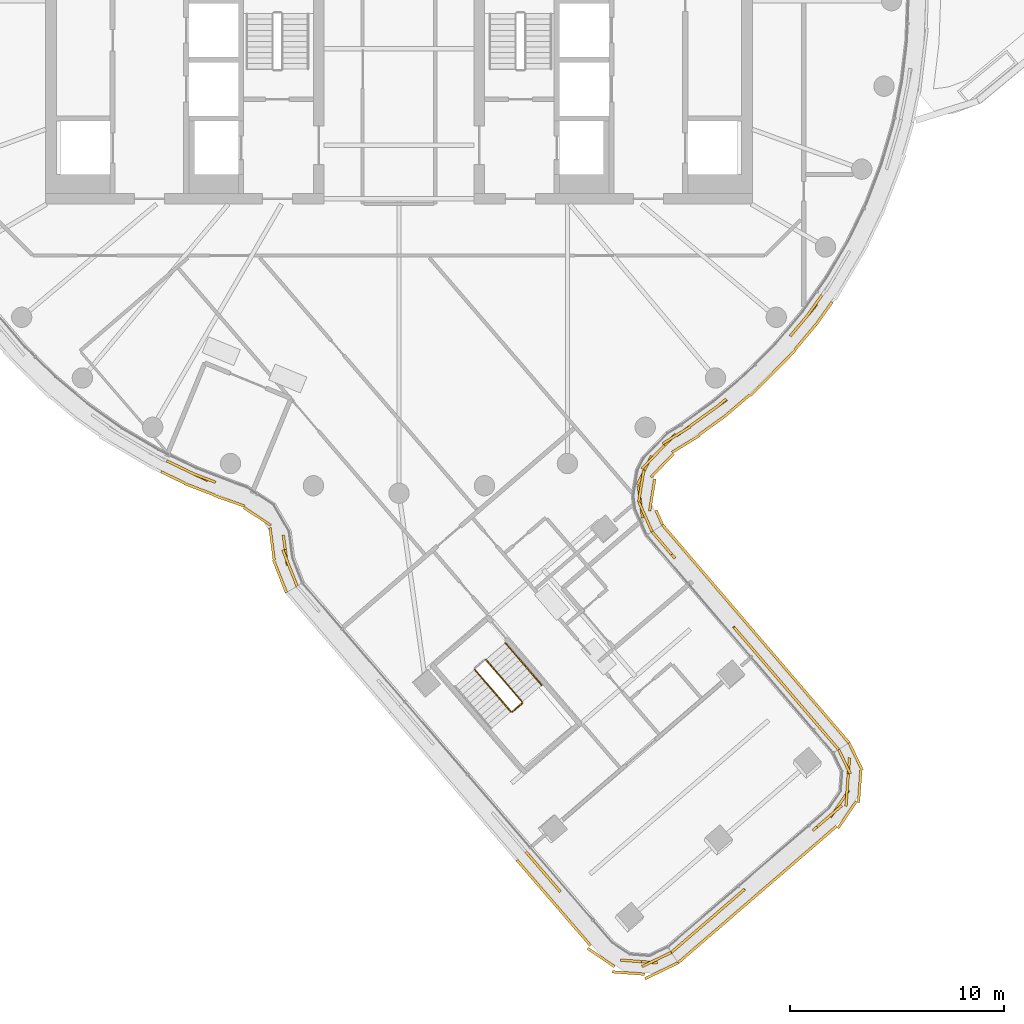
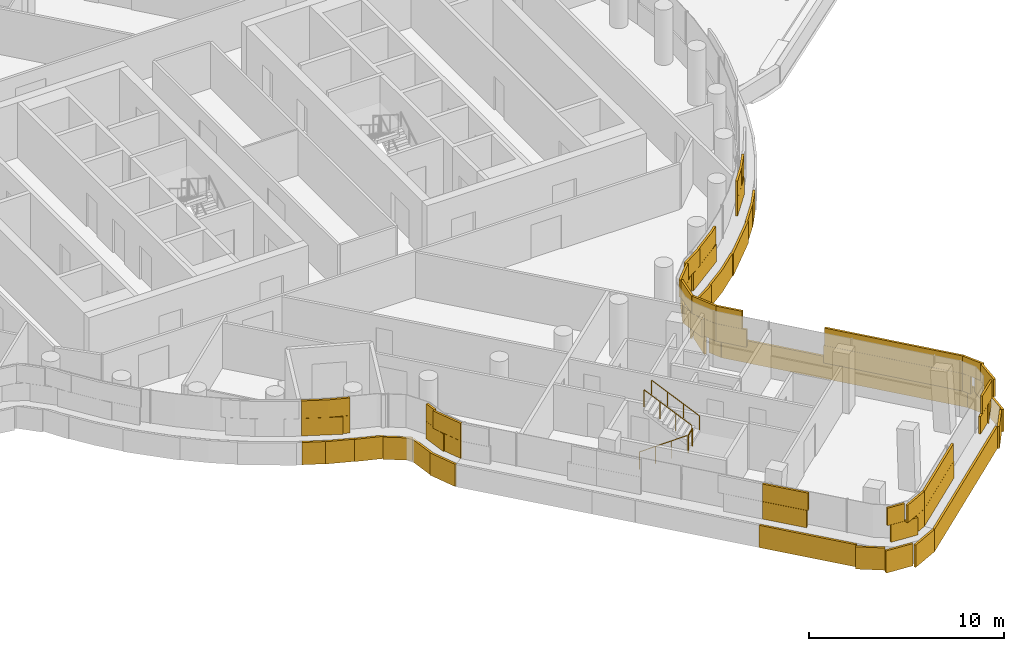
# One storey, part 29 of 34: 5 coverings, 4 railings.
"""IFC4 building model written with IfcOpenShell, lengths in metres."""

from ifc_helpers import new_model, si_unit, direction, frame, origin, origin_2d, place, context, subcontext, project, spatial, rectangle, circle, extrude, material, layer, layer_set, type_object, element, save


model = new_model("IFC4")

# Units and contexts
model_context = context("Model", 3, precision=1e-05, world=origin(), true_north=direction((0.0, 1.0)))
body_context = subcontext(model_context, "Body", "Model", "MODEL_VIEW")
ifc_project = project(units=[si_unit("LENGTHUNIT", "METRE"), si_unit("AREAUNIT", "SQUARE_METRE"), si_unit("VOLUMEUNIT", "CUBIC_METRE"), si_unit("PLANEANGLEUNIT", "RADIAN"), si_unit("MASSUNIT", "GRAM", prefix="KILO")], contexts=[model_context])

# Site, building, storey
site_placement = place(None, origin())
site = spatial("IfcSite", under=ifc_project, at=site_placement, CompositionType="ELEMENT")
building_placement = place(site_placement, origin())
building = spatial("IfcBuilding", under=site, at=building_placement, Name="Tamarind Cross Interchange Tower", CompositionType="ELEMENT")
storey_placement = place(building_placement, frame((0.0, 0.0, 182.5)))
storey = spatial("IfcBuildingStorey", under=building, at=storey_placement, Name="L45", CompositionType="ELEMENT", Elevation=182.5)

# Railings
ifc_material_1 = material(Name="Stair guard")
railing_type_1 = type_object("IfcRailingType", Name="Stair guard", PredefinedType="GUARDRAIL", material=ifc_material_1)
railing_1_placement = place(storey_placement, frame((3.532470703125, -31.232177734375, 0.16357421875)))
element("IfcRailing", 1, at=railing_1_placement, inside=storey, type_object=railing_type_1, Name="L45 ST6 stair guard 1", PredefinedType="GUARDRAIL", context=body_context, shape_type="SweptSolid", body=[
    extrude(circle(Radius=0.02392578125, at=origin_2d()), frame((0.0, 0.0, 1.076171875), z_axis=(0.552399171702, -0.641167676203, 0.53269049747), x_axis=(0.757603689801, 0.652714829922, 0.0)), (0.0, 0.0, 1.0), 3.072021484375),
    extrude(circle(Radius=0.02099609375, at=origin_2d()), origin(), (0.0, 0.0, 1.0), 1.052001953125),
    extrude(circle(Radius=0.02099609375, at=origin_2d()), frame((0.565673828125, -0.656494140625, 0.54541015625)), (0.0, 0.0, 1.0), 1.052001953125),
    extrude(circle(Radius=0.02099609375, at=origin_2d()), frame((1.13134765625, -1.313232421875, 1.091064453125)), (0.0, 0.0, 1.0), 1.052001953125),
    extrude(circle(Radius=0.02099609375, at=origin_2d()), frame((1.697021484375, -1.9697265625, 1.636474609375)), (0.0, 0.0, 1.0), 1.052001953125),
])
railing_2_placement = place(storey_placement, frame((5.300048828125, -33.207275390625, 1.800048828125)))
element("IfcRailing", 2, at=railing_2_placement, inside=storey, type_object=railing_type_1, Name="L45 ST6 stair guard 2", PredefinedType="GUARDRAIL", context=body_context, shape_type="SweptSolid", body=[
    extrude(circle(Radius=0.02392578125, at=origin_2d()), frame((0.0, 0.0, 1.076171875), z_axis=(0.75764583583, 0.652665907987, 0.0), x_axis=(-0.652665907987, 0.75764583583, 0.0)), (0.0, 0.0, 1.0), 0.60009765625),
    extrude(circle(Radius=0.02099609375, at=origin_2d()), origin(), (0.0, 0.0, 1.0), 1.052001953125),
    extrude(circle(Radius=0.02099609375, at=origin_2d()), frame((0.45458984375, 0.3916015625, 0.0)), (0.0, 0.0, 1.0), 1.052001953125),
])
railing_3_placement = place(storey_placement, frame((5.759765625, -32.7451171875, 1.963623046875)))
element("IfcRailing", 3, at=railing_3_placement, inside=storey, type_object=railing_type_1, Name="L45 ST6 stair guard 3", PredefinedType="GUARDRAIL", context=body_context, shape_type="SweptSolid", body=[
    extrude(circle(Radius=0.02392578125, at=origin_2d()), frame((0.0, 0.0, 1.076171875), z_axis=(-0.552399171702, 0.641167676203, 0.53269049747), x_axis=(-0.757603689801, -0.652714829922, 0.0)), (0.0, 0.0, 1.0), 3.072021484375),
    extrude(circle(Radius=0.02099609375, at=origin_2d()), origin(), (0.0, 0.0, 1.0), 1.052001953125),
    extrude(circle(Radius=0.02099609375, at=origin_2d()), frame((-0.565673828125, 0.656494140625, 0.54541015625)), (0.0, 0.0, 1.0), 1.052001953125),
    extrude(circle(Radius=0.02099609375, at=origin_2d()), frame((-1.13134765625, 1.313232421875, 1.091064453125)), (0.0, 0.0, 1.0), 1.052001953125),
    extrude(circle(Radius=0.02099609375, at=origin_2d()), frame((-1.697021484375, 1.9697265625, 1.636474609375)), (0.0, 0.0, 1.0), 1.052001953125),
])
ifc_material_2 = material(Name="Stair handrail")
railing_type_2 = type_object("IfcRailingType", Name="Stair handrail", PredefinedType="HANDRAIL", material=ifc_material_2)
railing_4_placement = place(storey_placement, frame((6.6689453125, -31.9619140625, 1.963623046875)))
element("IfcRailing", 4, at=railing_4_placement, inside=storey, type_object=railing_type_2, Name="L45 ST6 stair handrail 2", PredefinedType="HANDRAIL", context=body_context, shape_type="SweptSolid", body=[
    extrude(circle(Radius=0.02392578125, at=origin_2d()), frame((0.0, 0.0, 0.8759765625), z_axis=(-0.552399171702, 0.641167676203, 0.53269049747), x_axis=(-0.757603689801, -0.652714829922, 0.0)), (0.0, 0.0, 1.0), 3.072021484375),
    extrude(circle(Radius=0.02099609375, at=origin_2d()), origin(), (0.0, 0.0, 1.0), 0.851806640625),
    extrude(circle(Radius=0.02099609375, at=origin_2d()), frame((-0.565673828125, 0.656494140625, 0.54541015625)), (0.0, 0.0, 1.0), 0.851806640625),
    extrude(circle(Radius=0.02099609375, at=origin_2d()), frame((-1.13134765625, 1.313232421875, 1.091064453125)), (0.0, 0.0, 1.0), 0.851806640625),
    extrude(circle(Radius=0.02099609375, at=origin_2d()), frame((-1.697021484375, 1.9697265625, 1.636474609375)), (0.0, 0.0, 1.0), 0.851806640625),
])

# Coverings
ifc_material_3 = material(Name="Terracotta", Category="masonry")
ifc_layer = layer(ifc_material_3, 0.1201171875)
ifc_layer_set = layer_set([ifc_layer], Name="Terracotta")
covering_type = type_object("IfcCoveringType", Name="Terracotta baguette screen unit", PredefinedType="MOLDING", material=ifc_layer_set)
covering_1_placement = place(storey_placement, origin())
element("IfcCovering", 5, at=covering_1_placement, inside=storey, type_object=covering_type, Name="SCR-L45-06-01", PredefinedType="MOLDING", context=body_context, shape_type="SweptSolid", body=[
    extrude(rectangle(XDim=0.62841796875, YDim=0.1201171875, at=origin_2d()), frame((-10.56884765625, -21.62060546875, 1.40380859375), z_axis=(0.0, 0.0, 1.0), x_axis=(0.900272776334, -0.435326231914, 0.0)), (0.0, 0.0, 1.0), 1.092041015625),
    extrude(rectangle(XDim=1.52001953125, YDim=0.1201171875, at=origin_2d()), frame((-9.615234375, -22.081787109375, 1.40380859375), z_axis=(0.0, 0.0, 1.0), x_axis=(0.900272776334, -0.435326231914, 0.0)), (0.0, 0.0, 1.0), 1.092041015625),
    extrude(rectangle(XDim=0.3828125, YDim=0.1201171875, at=origin_2d()), frame((-8.742919921875, -22.42138671875, 1.40380859375), z_axis=(0.0, 0.0, 1.0), x_axis=(0.933146843667, -0.359495435512, 0.0)), (0.0, 0.0, 1.0), 1.092041015625),
    extrude(rectangle(XDim=1.437255859375, YDim=0.1201171875, at=origin_2d()), frame((-5.306640625, -25.659912109375, 1.40380859375), z_axis=(0.0, 0.0, 1.0), x_axis=(0.130303233197, -0.991474188982, 0.0)), (0.0, 0.0, 1.0), 1.092041015625),
    extrude(rectangle(XDim=1.073974609375, YDim=0.1201171875, at=origin_2d()), frame((-4.9521484375, -26.845458984375, 1.40380859375), z_axis=(0.0, 0.0, 1.0), x_axis=(0.366235065524, -0.930522367695, 0.0)), (0.0, 0.0, 1.0), 1.092041015625),
    extrude(rectangle(XDim=1.37841796875, YDim=0.1201171875, at=origin_2d()), frame((-10.231201171875, -21.783935546875, 2.50390625), z_axis=(0.0, 0.0, 1.0), x_axis=(0.900272776334, -0.435326231914, 0.0)), (0.0, 0.0, 1.0), 1.092041015625),
    extrude(rectangle(XDim=1.1328125, YDim=0.1201171875, at=origin_2d()), frame((-9.0927734375, -22.28662109375, 2.50390625), z_axis=(0.0, 0.0, 1.0), x_axis=(0.933146843667, -0.359495435512, 0.0)), (0.0, 0.0, 1.0), 1.092041015625),
    extrude(rectangle(XDim=0.687255859375, YDim=0.1201171875, at=origin_2d()), frame((-5.35546875, -25.288330078125, 2.50390625), z_axis=(0.0, 0.0, 1.0), x_axis=(0.130303233197, -0.991474188982, 0.0)), (0.0, 0.0, 1.0), 1.092041015625),
    extrude(rectangle(XDim=1.52001953125, YDim=0.1201171875, at=origin_2d()), frame((-5.14697265625, -26.350341796875, 2.50390625), z_axis=(0.0, 0.0, 1.0), x_axis=(0.366235065524, -0.930522367695, 0.0)), (0.0, 0.0, 1.0), 1.092041015625),
    extrude(rectangle(XDim=0.323974609375, YDim=0.1201171875, at=origin_2d()), frame((-4.81494140625, -27.1943359375, 2.50390625), z_axis=(0.0, 0.0, 1.0), x_axis=(0.366235065524, -0.930522367695, 0.0)), (0.0, 0.0, 1.0), 1.092041015625),
    extrude(rectangle(XDim=1.226806640625, YDim=0.1201171875, at=origin_2d()), frame((-10.5537109375, -22.265625, 0.00390625), z_axis=(0.0, 0.0, 1.0), x_axis=(0.900272776334, -0.435326231914, 0.0)), (0.0, 0.0, 1.0), 1.39208984375),
    extrude(rectangle(XDim=1.52001953125, YDim=0.1201171875, at=origin_2d()), frame((-9.31787109375, -22.81494140625, 0.00390625), z_axis=(0.0, 0.0, 1.0), x_axis=(0.933146843667, -0.359495435512, 0.0)), (0.0, 0.0, 1.0), 1.39208984375),
    extrude(rectangle(XDim=1.52001953125, YDim=0.1201171875, at=origin_2d()), frame((-7.918212890625, -23.35400390625, 0.00390625), z_axis=(0.0, 0.0, 1.0), x_axis=(0.943748553445, -0.330663980303, 0.0)), (0.0, 0.0, 1.0), 1.39208984375),
    extrude(rectangle(XDim=1.52001953125, YDim=0.1201171875, at=origin_2d()), frame((-6.6171875, -24.0810546875, 0.00390625), z_axis=(0.0, 0.0, 1.0), x_axis=(0.834136941466, -0.551557397631, 0.0)), (0.0, 0.0, 1.0), 1.39208984375),
    extrude(rectangle(XDim=1.52001953125, YDim=0.1201171875, at=origin_2d()), frame((-5.924072265625, -25.36669921875, 0.00390625), z_axis=(0.0, 0.0, 1.0), x_axis=(0.130303233197, -0.991474188982, 0.0)), (0.0, 0.0, 1.0), 1.39208984375),
    extrude(rectangle(XDim=1.52001953125, YDim=0.1201171875, at=origin_2d()), frame((-5.580810546875, -26.81591796875, 0.00390625), z_axis=(0.0, 0.0, 1.0), x_axis=(0.366235065524, -0.930522367695, 0.0)), (0.0, 0.0, 1.0), 1.39208984375),
    extrude(rectangle(XDim=0.14697265625, YDim=0.1201171875, at=origin_2d()), frame((-5.28271484375, -27.57275390625, 0.00390625), z_axis=(0.0, 0.0, 1.0), x_axis=(0.366235065524, -0.930522367695, 0.0)), (0.0, 0.0, 1.0), 1.39208984375),
])
covering_2_placement = place(storey_placement, origin())
element("IfcCovering", 6, at=covering_2_placement, inside=storey, type_object=covering_type, Name="SCR-L45-07-02", PredefinedType="MOLDING", context=body_context, shape_type="SweptSolid", body=[
    extrude(rectangle(XDim=0.89599609375, YDim=0.1201171875, at=origin_2d()), frame((6.212890625, -40.0732421875, 1.40380859375), z_axis=(0.0, 0.0, 1.0), x_axis=(0.652722730074, -0.757596883339, 0.0)), (0.0, 0.0, 1.0), 1.092041015625),
    extrude(rectangle(XDim=1.52001953125, YDim=0.1201171875, at=origin_2d()), frame((6.991455078125, -40.97705078125, 1.40380859375), z_axis=(0.0, 0.0, 1.0), x_axis=(0.652722730074, -0.757596883339, 0.0)), (0.0, 0.0, 1.0), 1.092041015625),
    extrude(rectangle(XDim=1.52001953125, YDim=0.1201171875, at=origin_2d()), frame((11.315185546875, -44.875244140625, 1.40380859375), z_axis=(0.0, 0.0, 1.0), x_axis=(0.997246562285, -0.074157224945, 0.0)), (0.0, 0.0, 1.0), 1.092041015625),
    extrude(rectangle(XDim=0.772705078125, YDim=0.1201171875, at=origin_2d()), frame((12.376953125, -44.6083984375, 1.40380859375), z_axis=(0.0, 0.0, 1.0), x_axis=(0.900719469248, 0.434401240466, 0.0)), (0.0, 0.0, 1.0), 1.092041015625),
    extrude(rectangle(XDim=0.14599609375, YDim=0.1201171875, at=origin_2d()), frame((5.968017578125, -39.789306640625, 2.50390625), z_axis=(0.0, 0.0, 1.0), x_axis=(0.652722730074, -0.757596883339, 0.0)), (0.0, 0.0, 1.0), 1.092041015625),
    extrude(rectangle(XDim=1.52001953125, YDim=0.1201171875, at=origin_2d()), frame((6.501953125, -40.408935546875, 2.50390625), z_axis=(0.0, 0.0, 1.0), x_axis=(0.652722730074, -0.757596883339, 0.0)), (0.0, 0.0, 1.0), 1.092041015625),
    extrude(rectangle(XDim=0.848388671875, YDim=0.1201171875, at=origin_2d()), frame((7.26513671875, -41.294677734375, 2.50390625), z_axis=(0.0, 0.0, 1.0), x_axis=(0.652722730074, -0.757596883339, 0.0)), (0.0, 0.0, 1.0), 1.092041015625),
    extrude(rectangle(XDim=0.971435546875, YDim=0.1201171875, at=origin_2d()), frame((10.8359375, -44.839599609375, 2.50390625), z_axis=(0.0, 0.0, 1.0), x_axis=(0.997246562285, -0.074157224945, 0.0)), (0.0, 0.0, 1.0), 1.092041015625),
    extrude(rectangle(XDim=1.52001953125, YDim=0.1201171875, at=origin_2d()), frame((12.033447265625, -44.774169921875, 2.50390625), z_axis=(0.0, 0.0, 1.0), x_axis=(0.900719469248, 0.434401240466, 0.0)), (0.0, 0.0, 1.0), 1.092041015625),
    extrude(rectangle(XDim=0.768798828125, YDim=0.1201171875, at=origin_2d()), frame((5.75927734375, -40.426025390625, 0.00390625), z_axis=(0.0, 0.0, 1.0), x_axis=(0.652722730074, -0.757596883339, 0.0)), (0.0, 0.0, 1.0), 1.39208984375),
    extrude(rectangle(XDim=1.52001953125, YDim=0.1201171875, at=origin_2d()), frame((6.4931640625, -41.278076171875, 0.00390625), z_axis=(0.0, 0.0, 1.0), x_axis=(0.652722730074, -0.757596883339, 0.0)), (0.0, 0.0, 1.0), 1.39208984375),
    extrude(rectangle(XDim=1.52001953125, YDim=0.1201171875, at=origin_2d()), frame((7.47216796875, -42.414306640625, 0.00390625), z_axis=(0.0, 0.0, 1.0), x_axis=(0.652722730074, -0.757596883339, 0.0)), (0.0, 0.0, 1.0), 1.39208984375),
    extrude(rectangle(XDim=1.52001953125, YDim=0.1201171875, at=origin_2d()), frame((8.451171875, -43.55078125, 0.00390625), z_axis=(0.0, 0.0, 1.0), x_axis=(0.652722730074, -0.757596883339, 0.0)), (0.0, 0.0, 1.0), 1.39208984375),
    extrude(rectangle(XDim=1.52001953125, YDim=0.1201171875, at=origin_2d()), frame((9.437255859375, -44.679443359375, 0.00390625), z_axis=(0.0, 0.0, 1.0), x_axis=(0.826562244303, -0.562845321819, 0.0)), (0.0, 0.0, 1.0), 1.39208984375),
    extrude(rectangle(XDim=1.52001953125, YDim=0.1201171875, at=origin_2d()), frame((10.718017578125, -45.406494140625, 0.00390625), z_axis=(0.0, 0.0, 1.0), x_axis=(0.997246562285, -0.074157224945, 0.0)), (0.0, 0.0, 1.0), 1.39208984375),
    extrude(rectangle(XDim=1.52001953125, YDim=0.1201171875, at=origin_2d()), frame((12.180419921875, -45.340576171875, 0.00390625), z_axis=(0.0, 0.0, 1.0), x_axis=(0.900719469248, 0.434401240466, 0.0)), (0.0, 0.0, 1.0), 1.39208984375),
    extrude(rectangle(XDim=0.212158203125, YDim=0.1201171875, at=origin_2d()), frame((12.9423828125, -44.972900390625, 0.00390625), z_axis=(0.0, 0.0, 1.0), x_axis=(0.900719469248, 0.434401240466, 0.0)), (0.0, 0.0, 1.0), 1.39208984375),
])
covering_3_placement = place(storey_placement, origin())
element("IfcCovering", 7, at=covering_3_placement, inside=storey, type_object=covering_type, Name="SCR-L45-08-00", PredefinedType="MOLDING", context=body_context, shape_type="SweptSolid", body=[
    extrude(rectangle(XDim=0.760009765625, YDim=0.1201171875, at=origin_2d()), frame((13.004638671875, -44.197998046875, 1.40380859375), z_axis=(0.0, 0.0, 1.0), x_axis=(0.757596883339, 0.652722730074, 0.0)), (0.0, 0.0, 1.0), 1.092041015625),
    extrude(rectangle(XDim=1.52001953125, YDim=0.1201171875, at=origin_2d()), frame((13.85693359375, -43.463623046875, 1.40380859375), z_axis=(0.0, 0.0, 1.0), x_axis=(0.757596883339, 0.652722730074, 0.0)), (0.0, 0.0, 1.0), 1.092041015625),
    extrude(rectangle(XDim=1.52001953125, YDim=0.1201171875, at=origin_2d()), frame((14.993408203125, -42.484619140625, 1.40380859375), z_axis=(0.0, 0.0, 1.0), x_axis=(0.757596883339, 0.652722730074, 0.0)), (0.0, 0.0, 1.0), 1.092041015625),
    extrude(rectangle(XDim=0.78466796875, YDim=0.1201171875, at=origin_2d()), frame((15.85498046875, -41.7421875, 1.40380859375), z_axis=(0.0, 0.0, 1.0), x_axis=(0.757596883339, 0.652722730074, 0.0)), (0.0, 0.0, 1.0), 1.092041015625),
    extrude(rectangle(XDim=1.03515625, YDim=0.1201171875, at=origin_2d()), frame((19.71875, -38.413330078125, 1.40380859375), z_axis=(0.0, 0.0, 1.0), x_axis=(0.757596883339, 0.652722730074, 0.0)), (0.0, 0.0, 1.0), 1.092041015625),
    extrude(rectangle(XDim=1.52001953125, YDim=0.1201171875, at=origin_2d()), frame((20.58251953125, -37.50634765625, 1.40380859375), z_axis=(0.0, 0.0, 1.0), x_axis=(0.562845321819, 0.826562244303, 0.0)), (0.0, 0.0, 1.0), 1.092041015625),
    extrude(rectangle(XDim=1.52001953125, YDim=0.1201171875, at=origin_2d()), frame((20.984619140625, -36.112060546875, 1.40380859375), z_axis=(0.0, 0.0, 1.0), x_axis=(0.074157224945, 0.997246562285, 0.0)), (0.0, 0.0, 1.0), 1.092041015625),
    extrude(rectangle(XDim=0.509521484375, YDim=0.1201171875, at=origin_2d()), frame((20.640869140625, -35.1943359375, 1.40380859375), z_axis=(0.0, 0.0, 1.0), x_axis=(-0.434401240466, 0.900719469248, 0.0)), (0.0, 0.0, 1.0), 1.092041015625),
    extrude(rectangle(XDim=1.510009765625, YDim=0.1201171875, at=origin_2d()), frame((13.288818359375, -43.953125, 2.50390625), z_axis=(0.0, 0.0, 1.0), x_axis=(0.757596883339, 0.652722730074, 0.0)), (0.0, 0.0, 1.0), 1.092041015625),
    extrude(rectangle(XDim=1.52001953125, YDim=0.1201171875, at=origin_2d()), frame((14.425048828125, -42.97412109375, 2.50390625), z_axis=(0.0, 0.0, 1.0), x_axis=(0.757596883339, 0.652722730074, 0.0)), (0.0, 0.0, 1.0), 1.092041015625),
    extrude(rectangle(XDim=1.52001953125, YDim=0.1201171875, at=origin_2d()), frame((15.5615234375, -41.9951171875, 2.50390625), z_axis=(0.0, 0.0, 1.0), x_axis=(0.757596883339, 0.652722730074, 0.0)), (0.0, 0.0, 1.0), 1.092041015625),
    extrude(rectangle(XDim=1.52001953125, YDim=0.1201171875, at=origin_2d()), frame((20.107177734375, -38.07861328125, 2.50390625), z_axis=(0.0, 0.0, 1.0), x_axis=(0.757596883339, 0.652722730074, 0.0)), (0.0, 0.0, 1.0), 1.092041015625),
    extrude(rectangle(XDim=1.52001953125, YDim=0.1201171875, at=origin_2d()), frame((20.928955078125, -36.85986328125, 2.50390625), z_axis=(0.0, 0.0, 1.0), x_axis=(0.074157224945, 0.997246562285, 0.0)), (0.0, 0.0, 1.0), 1.092041015625),
    extrude(rectangle(XDim=1.259521484375, YDim=0.1201171875, at=origin_2d()), frame((20.803955078125, -35.531982421875, 2.50390625), z_axis=(0.0, 0.0, 1.0), x_axis=(-0.434401240466, 0.900719469248, 0.0)), (0.0, 0.0, 1.0), 1.092041015625),
    extrude(rectangle(XDim=0.760009765625, YDim=0.1201171875, at=origin_2d()), frame((13.325927734375, -44.678955078125, 0.00390625), z_axis=(0.0, 0.0, 1.0), x_axis=(0.757596883339, 0.652722730074, 0.0)), (0.0, 0.0, 1.0), 1.39208984375),
    extrude(rectangle(XDim=1.52001953125, YDim=0.1201171875, at=origin_2d()), frame((14.17431640625, -43.94775390625, 0.00390625), z_axis=(0.0, 0.0, 1.0), x_axis=(0.757596883339, 0.652722730074, 0.0)), (0.0, 0.0, 1.0), 1.39208984375),
    extrude(rectangle(XDim=1.52001953125, YDim=0.1201171875, at=origin_2d()), frame((15.310791015625, -42.96875, 0.00390625), z_axis=(0.0, 0.0, 1.0), x_axis=(0.757596883339, 0.652722730074, 0.0)), (0.0, 0.0, 1.0), 1.39208984375),
    extrude(rectangle(XDim=1.52001953125, YDim=0.1201171875, at=origin_2d()), frame((16.447021484375, -41.98974609375, 0.00390625), z_axis=(0.0, 0.0, 1.0), x_axis=(0.757596883339, 0.652722730074, 0.0)), (0.0, 0.0, 1.0), 1.39208984375),
    extrude(rectangle(XDim=1.52001953125, YDim=0.1201171875, at=origin_2d()), frame((17.58349609375, -41.010498046875, 0.00390625), z_axis=(0.0, 0.0, 1.0), x_axis=(0.757596883339, 0.652722730074, 0.0)), (0.0, 0.0, 1.0), 1.39208984375),
    extrude(rectangle(XDim=1.52001953125, YDim=0.1201171875, at=origin_2d()), frame((18.719970703125, -40.031494140625, 0.00390625), z_axis=(0.0, 0.0, 1.0), x_axis=(0.757596883339, 0.652722730074, 0.0)), (0.0, 0.0, 1.0), 1.39208984375),
    extrude(rectangle(XDim=1.52001953125, YDim=0.1201171875, at=origin_2d()), frame((19.856201171875, -39.052490234375, 0.00390625), z_axis=(0.0, 0.0, 1.0), x_axis=(0.757596883339, 0.652722730074, 0.0)), (0.0, 0.0, 1.0), 1.39208984375),
    extrude(rectangle(XDim=1.52001953125, YDim=0.1201171875, at=origin_2d()), frame((20.929443359375, -38.016845703125, 0.00390625), z_axis=(0.0, 0.0, 1.0), x_axis=(0.562845321819, 0.826562244303, 0.0)), (0.0, 0.0, 1.0), 1.39208984375),
    extrude(rectangle(XDim=1.52001953125, YDim=0.1201171875, at=origin_2d()), frame((21.517333984375, -36.6875, 0.00390625), z_axis=(0.0, 0.0, 1.0), x_axis=(0.074157224945, 0.997246562285, 0.0)), (0.0, 0.0, 1.0), 1.39208984375),
    extrude(rectangle(XDim=1.426025390625, YDim=0.1201171875, at=origin_2d()), frame((21.326904296875, -35.294921875, 0.00390625), z_axis=(0.0, 0.0, 1.0), x_axis=(-0.434401240466, 0.900719469248, 0.0)), (0.0, 0.0, 1.0), 1.39208984375),
])
covering_4_placement = place(storey_placement, origin())
element("IfcCovering", 8, at=covering_4_placement, inside=storey, type_object=covering_type, Name="SCR-L45-09-00", PredefinedType="MOLDING", context=body_context, shape_type="SweptSolid", body=[
    extrude(rectangle(XDim=0.760009765625, YDim=0.1201171875, at=origin_2d()), frame((20.28857421875, -34.6845703125, 1.40380859375), z_axis=(0.0, 0.0, 1.0), x_axis=(-0.650358204159, 0.759627676091, 0.0)), (0.0, 0.0, 1.0), 1.092041015625),
    extrude(rectangle(XDim=1.52001953125, YDim=0.1201171875, at=origin_2d()), frame((19.556884765625, -33.829833984375, 1.40380859375), z_axis=(0.0, 0.0, 1.0), x_axis=(-0.650358204159, 0.759627676091, 0.0)), (0.0, 0.0, 1.0), 1.092041015625),
    extrude(rectangle(XDim=1.52001953125, YDim=0.1201171875, at=origin_2d()), frame((18.581298828125, -32.6904296875, 1.40380859375), z_axis=(0.0, 0.0, 1.0), x_axis=(-0.650358204159, 0.759627676091, 0.0)), (0.0, 0.0, 1.0), 1.092041015625),
    extrude(rectangle(XDim=1.52001953125, YDim=0.1201171875, at=origin_2d()), frame((17.60595703125, -31.551025390625, 1.40380859375), z_axis=(0.0, 0.0, 1.0), x_axis=(-0.650358204159, 0.759627676091, 0.0)), (0.0, 0.0, 1.0), 1.092041015625),
    extrude(rectangle(XDim=1.52001953125, YDim=0.1201171875, at=origin_2d()), frame((16.63037109375, -30.41162109375, 1.40380859375), z_axis=(0.0, 0.0, 1.0), x_axis=(-0.650358204159, 0.759627676091, 0.0)), (0.0, 0.0, 1.0), 1.092041015625),
    extrude(rectangle(XDim=0.814453125, YDim=0.1201171875, at=origin_2d()), frame((15.880859375, -29.5361328125, 1.40380859375), z_axis=(0.0, 0.0, 1.0), x_axis=(-0.650358204159, 0.759627676091, 0.0)), (0.0, 0.0, 1.0), 1.092041015625),
    extrude(rectangle(XDim=1.00537109375, YDim=0.1201171875, at=origin_2d()), frame((12.56396484375, -25.662109375, 1.40380859375), z_axis=(0.0, 0.0, 1.0), x_axis=(-0.650358204159, 0.759627676091, 0.0)), (0.0, 0.0, 1.0), 1.092041015625),
    extrude(rectangle(XDim=0.654296875, YDim=0.1201171875, at=origin_2d()), frame((12.031005859375, -25.039306640625, 1.40380859375), z_axis=(0.0, 0.0, 1.0), x_axis=(-0.650358204159, 0.759627676091, 0.0)), (0.0, 0.0, 1.0), 1.092041015625),
    extrude(rectangle(XDim=1.510009765625, YDim=0.1201171875, at=origin_2d()), frame((20.044677734375, -34.399658203125, 2.50390625), z_axis=(0.0, 0.0, 1.0), x_axis=(-0.650358204159, 0.759627676091, 0.0)), (0.0, 0.0, 1.0), 1.092041015625),
    extrude(rectangle(XDim=1.52001953125, YDim=0.1201171875, at=origin_2d()), frame((19.069091796875, -33.26025390625, 2.50390625), z_axis=(0.0, 0.0, 1.0), x_axis=(-0.650358204159, 0.759627676091, 0.0)), (0.0, 0.0, 1.0), 1.092041015625),
    extrude(rectangle(XDim=1.52001953125, YDim=0.1201171875, at=origin_2d()), frame((18.093505859375, -32.12060546875, 2.50390625), z_axis=(0.0, 0.0, 1.0), x_axis=(-0.650358204159, 0.759627676091, 0.0)), (0.0, 0.0, 1.0), 1.092041015625),
    extrude(rectangle(XDim=1.52001953125, YDim=0.1201171875, at=origin_2d()), frame((17.1181640625, -30.981201171875, 2.50390625), z_axis=(0.0, 0.0, 1.0), x_axis=(-0.650358204159, 0.759627676091, 0.0)), (0.0, 0.0, 1.0), 1.092041015625),
    extrude(rectangle(XDim=1.52001953125, YDim=0.1201171875, at=origin_2d()), frame((16.142578125, -29.841796875, 2.50390625), z_axis=(0.0, 0.0, 1.0), x_axis=(-0.650358204159, 0.759627676091, 0.0)), (0.0, 0.0, 1.0), 1.092041015625),
    extrude(rectangle(XDim=1.404296875, YDim=0.1201171875, at=origin_2d()), frame((12.27490234375, -25.32421875, 2.50390625), z_axis=(0.0, 0.0, 1.0), x_axis=(-0.650358204159, 0.759627676091, 0.0)), (0.0, 0.0, 1.0), 1.092041015625),
    extrude(rectangle(XDim=0.760009765625, YDim=0.1201171875, at=origin_2d()), frame((20.77001953125, -34.364013671875, 0.00390625), z_axis=(0.0, 0.0, 1.0), x_axis=(-0.650358204159, 0.759627676091, 0.0)), (0.0, 0.0, 1.0), 1.39208984375),
    extrude(rectangle(XDim=1.52001953125, YDim=0.1201171875, at=origin_2d()), frame((20.04150390625, -33.51318359375, 0.00390625), z_axis=(0.0, 0.0, 1.0), x_axis=(-0.650358204159, 0.759627676091, 0.0)), (0.0, 0.0, 1.0), 1.39208984375),
    extrude(rectangle(XDim=1.52001953125, YDim=0.1201171875, at=origin_2d()), frame((19.06591796875, -32.373779296875, 0.00390625), z_axis=(0.0, 0.0, 1.0), x_axis=(-0.650358204159, 0.759627676091, 0.0)), (0.0, 0.0, 1.0), 1.39208984375),
    extrude(rectangle(XDim=1.52001953125, YDim=0.1201171875, at=origin_2d()), frame((18.09033203125, -31.234375, 0.00390625), z_axis=(0.0, 0.0, 1.0), x_axis=(-0.650358204159, 0.759627676091, 0.0)), (0.0, 0.0, 1.0), 1.39208984375),
    extrude(rectangle(XDim=1.52001953125, YDim=0.1201171875, at=origin_2d()), frame((17.114990234375, -30.094970703125, 0.00390625), z_axis=(0.0, 0.0, 1.0), x_axis=(-0.650358204159, 0.759627676091, 0.0)), (0.0, 0.0, 1.0), 1.39208984375),
    extrude(rectangle(XDim=1.52001953125, YDim=0.1201171875, at=origin_2d()), frame((16.139404296875, -28.95556640625, 0.00390625), z_axis=(0.0, 0.0, 1.0), x_axis=(-0.650358204159, 0.759627676091, 0.0)), (0.0, 0.0, 1.0), 1.39208984375),
    extrude(rectangle(XDim=1.52001953125, YDim=0.1201171875, at=origin_2d()), frame((15.163818359375, -27.816162109375, 0.00390625), z_axis=(0.0, 0.0, 1.0), x_axis=(-0.650358204159, 0.759627676091, 0.0)), (0.0, 0.0, 1.0), 1.39208984375),
    extrude(rectangle(XDim=1.52001953125, YDim=0.1201171875, at=origin_2d()), frame((14.188232421875, -26.676513671875, 0.00390625), z_axis=(0.0, 0.0, 1.0), x_axis=(-0.650358204159, 0.759627676091, 0.0)), (0.0, 0.0, 1.0), 1.39208984375),
    extrude(rectangle(XDim=1.52001953125, YDim=0.1201171875, at=origin_2d()), frame((13.212646484375, -25.537109375, 0.00390625), z_axis=(0.0, 0.0, 1.0), x_axis=(-0.650358204159, 0.759627676091, 0.0)), (0.0, 0.0, 1.0), 1.39208984375),
    extrude(rectangle(XDim=0.645751953125, YDim=0.1201171875, at=origin_2d()), frame((12.521484375, -24.729736328125, 0.00390625), z_axis=(0.0, 0.0, 1.0), x_axis=(-0.650358204159, 0.759627676091, 0.0)), (0.0, 0.0, 1.0), 1.39208984375),
])
covering_5_placement = place(storey_placement, origin())
element("IfcCovering", 9, at=covering_5_placement, inside=storey, type_object=covering_type, Name="SCR-L45-10-00", PredefinedType="MOLDING", context=body_context, shape_type="SweptSolid", body=[
    extrude(rectangle(XDim=0.760009765625, YDim=0.1201171875, at=origin_2d()), frame((11.66845703125, -24.452392578125, 1.40380859375), z_axis=(0.0, 0.0, 1.0), x_axis=(-0.408132559044, 0.912922677037, 0.0)), (0.0, 0.0, 1.0), 1.092041015625),
    extrude(rectangle(XDim=1.52001953125, YDim=0.1201171875, at=origin_2d()), frame((11.27734375, -23.406005859375, 1.40380859375), z_axis=(0.0, 0.0, 1.0), x_axis=(-0.129279474427, 0.991608197572, 0.0)), (0.0, 0.0, 1.0), 1.092041015625),
    extrude(rectangle(XDim=1.52001953125, YDim=0.1201171875, at=origin_2d()), frame((11.462158203125, -21.93310546875, 1.40380859375), z_axis=(0.0, 0.0, 1.0), x_axis=(0.436664943291, 0.899624214492, 0.0)), (0.0, 0.0, 1.0), 1.092041015625),
    extrude(rectangle(XDim=1.52001953125, YDim=0.1201171875, at=origin_2d()), frame((12.393798828125, -20.777099609375, 1.40380859375), z_axis=(0.0, 0.0, 1.0), x_axis=(0.695629171256, 0.71840104127, 0.0)), (0.0, 0.0, 1.0), 1.092041015625),
    extrude(rectangle(XDim=1.52001953125, YDim=0.1201171875, at=origin_2d()), frame((13.581787109375, -19.875732421875, 1.40380859375), z_axis=(0.0, 0.0, 1.0), x_axis=(0.811340475102, 0.584573890505, 0.0)), (0.0, 0.0, 1.0), 1.092041015625),
    extrude(rectangle(XDim=1.387939453125, YDim=0.1201171875, at=origin_2d()), frame((14.749267578125, -19.034423828125, 1.40380859375), z_axis=(0.0, 0.0, 1.0), x_axis=(0.811340475102, 0.584573890505, 0.0)), (0.0, 0.0, 1.0), 1.092041015625),
    extrude(rectangle(XDim=0.43212890625, YDim=0.1201171875, at=origin_2d()), frame((18.40966796875, -15.499267578125, 1.40380859375), z_axis=(0.0, 0.0, 1.0), x_axis=(0.643009266048, 0.765858396687, 0.0)), (0.0, 0.0, 1.0), 1.092041015625),
    extrude(rectangle(XDim=1.52001953125, YDim=0.1201171875, at=origin_2d()), frame((19.02783203125, -14.76318359375, 1.40380859375), z_axis=(0.0, 0.0, 1.0), x_axis=(0.643009266048, 0.765858396687, 0.0)), (0.0, 0.0, 1.0), 1.092041015625),
    extrude(rectangle(XDim=0.50927734375, YDim=0.1201171875, at=origin_2d()), frame((19.609619140625, -13.950439453125, 1.40380859375), z_axis=(0.0, 0.0, 1.0), x_axis=(0.577568978284, 0.816341886298, 0.0)), (0.0, 0.0, 1.0), 1.092041015625),
    extrude(rectangle(XDim=1.510009765625, YDim=0.1201171875, at=origin_2d()), frame((11.515380859375, -24.110107421875, 2.50390625), z_axis=(0.0, 0.0, 1.0), x_axis=(-0.408132559044, 0.912922677037, 0.0)), (0.0, 0.0, 1.0), 1.092041015625),
    extrude(rectangle(XDim=1.52001953125, YDim=0.1201171875, at=origin_2d()), frame((11.313720703125, -22.66455078125, 2.50390625), z_axis=(0.0, 0.0, 1.0), x_axis=(0.16042668077, 0.987047759785, 0.0)), (0.0, 0.0, 1.0), 1.092041015625),
    extrude(rectangle(XDim=1.52001953125, YDim=0.1201171875, at=origin_2d()), frame((11.8720703125, -21.31591796875, 2.50390625), z_axis=(0.0, 0.0, 1.0), x_axis=(0.695629171256, 0.71840104127, 0.0)), (0.0, 0.0, 1.0), 1.092041015625),
    extrude(rectangle(XDim=1.52001953125, YDim=0.1201171875, at=origin_2d()), frame((12.958740234375, -20.29248046875, 2.50390625), z_axis=(0.0, 0.0, 1.0), x_axis=(0.852141312585, 0.523311745889, 0.0)), (0.0, 0.0, 1.0), 1.092041015625),
    extrude(rectangle(XDim=1.52001953125, YDim=0.1201171875, at=origin_2d()), frame((14.190185546875, -19.437255859375, 2.50390625), z_axis=(0.0, 0.0, 1.0), x_axis=(0.811340475102, 0.584573890505, 0.0)), (0.0, 0.0, 1.0), 1.092041015625),
    extrude(rectangle(XDim=0.637939453125, YDim=0.1201171875, at=origin_2d()), frame((15.042236328125, -18.801025390625, 2.50390625), z_axis=(0.0, 0.0, 1.0), x_axis=(0.760295606781, 0.64957723968, 0.0)), (0.0, 0.0, 1.0), 1.092041015625),
    extrude(rectangle(XDim=1.18212890625, YDim=0.1201171875, at=origin_2d()), frame((18.65087890625, -15.212158203125, 2.50390625), z_axis=(0.0, 0.0, 1.0), x_axis=(0.643009266048, 0.765858396687, 0.0)), (0.0, 0.0, 1.0), 1.092041015625),
    extrude(rectangle(XDim=1.25927734375, YDim=0.1201171875, at=origin_2d()), frame((19.392822265625, -14.256591796875, 2.50390625), z_axis=(0.0, 0.0, 1.0), x_axis=(0.577568978284, 0.816341886298, 0.0)), (0.0, 0.0, 1.0), 1.092041015625),
    extrude(rectangle(XDim=0.760009765625, YDim=0.1201171875, at=origin_2d()), frame((12.156494140625, -24.1376953125, 0.00390625), z_axis=(0.0, 0.0, 1.0), x_axis=(-0.408132559044, 0.912922677037, 0.0)), (0.0, 0.0, 1.0), 1.39208984375),
    extrude(rectangle(XDim=1.52001953125, YDim=0.1201171875, at=origin_2d()), frame((11.8271484375, -23.0830078125, 0.00390625), z_axis=(0.0, 0.0, 1.0), x_axis=(0.16042668077, 0.987047759785, 0.0)), (0.0, 0.0, 1.0), 1.39208984375),
    extrude(rectangle(XDim=1.52001953125, YDim=0.1201171875, at=origin_2d()), frame((12.299072265625, -21.7001953125, 0.00390625), z_axis=(0.0, 0.0, 1.0), x_axis=(0.695629171256, 0.71840104127, 0.0)), (0.0, 0.0, 1.0), 1.39208984375),
    extrude(rectangle(XDim=1.52001953125, YDim=0.1201171875, at=origin_2d()), frame((13.400390625, -20.69482421875, 0.00390625), z_axis=(0.0, 0.0, 1.0), x_axis=(0.852141312585, 0.523311745889, 0.0)), (0.0, 0.0, 1.0), 1.39208984375),
    extrude(rectangle(XDim=1.52001953125, YDim=0.1201171875, at=origin_2d()), frame((14.6259765625, -19.830810546875, 0.00390625), z_axis=(0.0, 0.0, 1.0), x_axis=(0.811340475102, 0.584573890505, 0.0)), (0.0, 0.0, 1.0), 1.39208984375),
    extrude(rectangle(XDim=1.52001953125, YDim=0.1201171875, at=origin_2d()), frame((15.804443359375, -18.90478515625, 0.00390625), z_axis=(0.0, 0.0, 1.0), x_axis=(0.760295606781, 0.64957723968, 0.0)), (0.0, 0.0, 1.0), 1.39208984375),
    extrude(rectangle(XDim=1.52001953125, YDim=0.1201171875, at=origin_2d()), frame((16.9326171875, -17.917236328125, 0.00390625), z_axis=(0.0, 0.0, 1.0), x_axis=(0.704057148523, 0.710143317658, 0.0)), (0.0, 0.0, 1.0), 1.39208984375),
    extrude(rectangle(XDim=1.52001953125, YDim=0.1201171875, at=origin_2d()), frame((17.98876953125, -16.85205078125, 0.00390625), z_axis=(0.0, 0.0, 1.0), x_axis=(0.704057148523, 0.710143317658, 0.0)), (0.0, 0.0, 1.0), 1.39208984375),
    extrude(rectangle(XDim=1.52001953125, YDim=0.1201171875, at=origin_2d()), frame((18.972900390625, -15.72119140625, 0.00390625), z_axis=(0.0, 0.0, 1.0), x_axis=(0.643009266048, 0.765858396687, 0.0)), (0.0, 0.0, 1.0), 1.39208984375),
    extrude(rectangle(XDim=1.330078125, YDim=0.1201171875, at=origin_2d()), frame((19.8408203125, -14.617431640625, 0.00390625), z_axis=(0.0, 0.0, 1.0), x_axis=(0.577568978284, 0.816341886298, 0.0)), (0.0, 0.0, 1.0), 1.39208984375),
])

save(model, "model.ifc")
